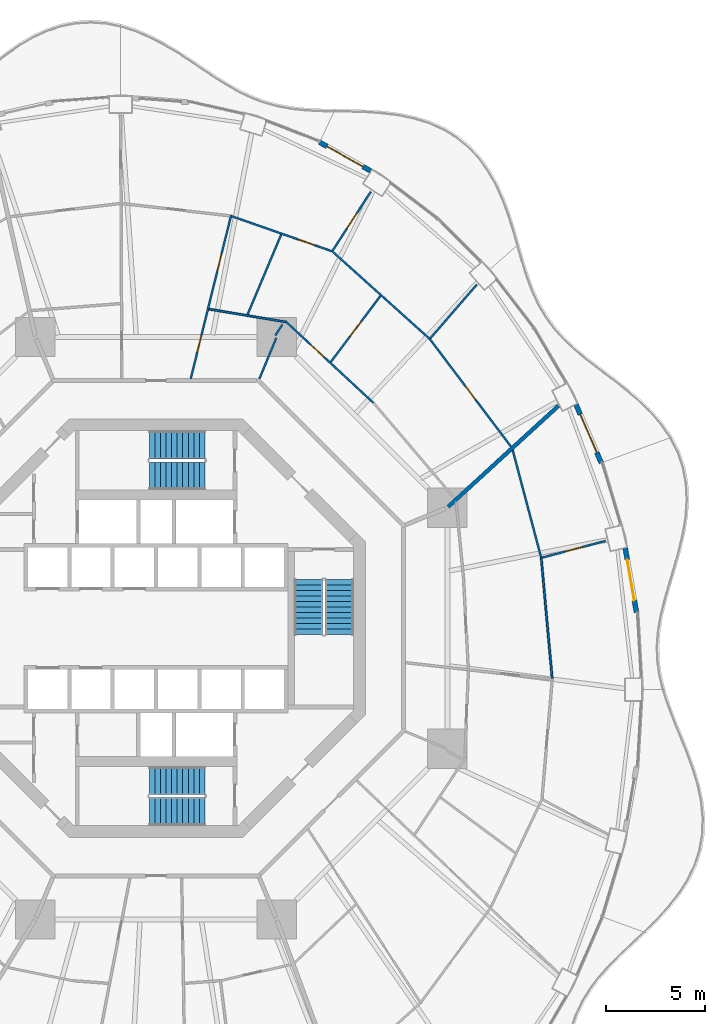
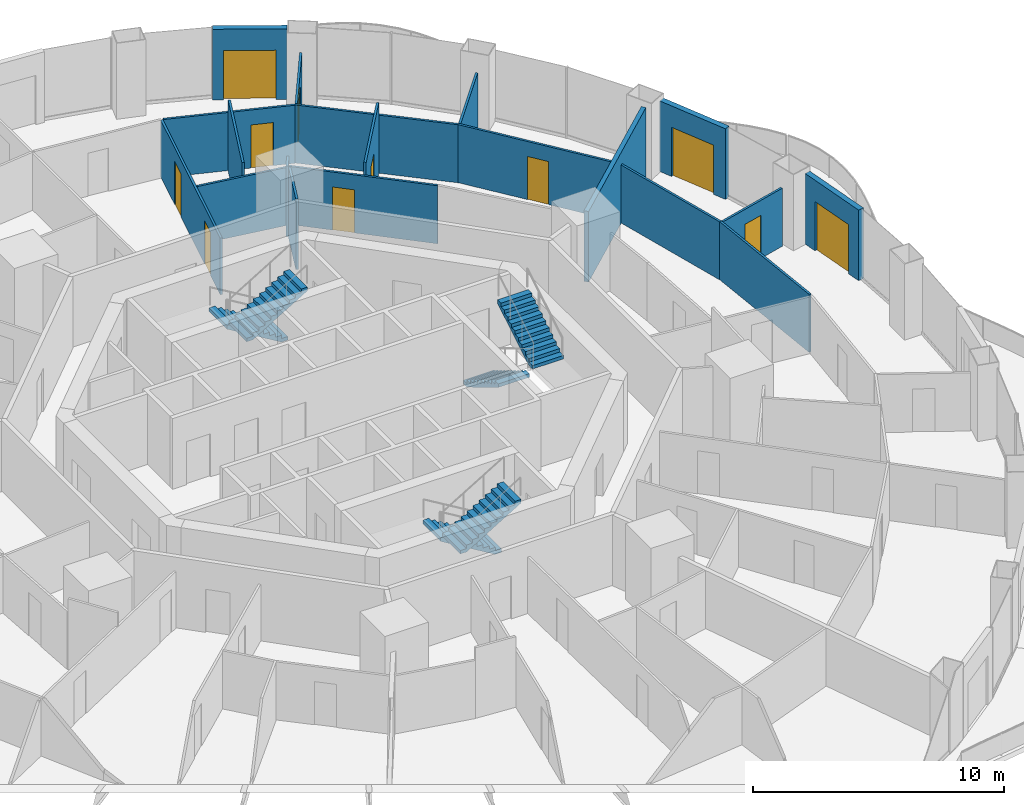
# One storey, part 18 of 21: 19 walls, 11 doors, 6 stair flights, 11 openings, 3 elements without a shape of their own.
"""IFC4 building model written with IfcOpenShell, lengths in metres."""

from ifc_helpers import new_model, si_unit, direction, frame, frame_2d, origin, place, context, subcontext, project, spatial, polyline, rectangle, outline, extrude, material, layer, layer_set, type_object, element, fill, aggregate, save


model = new_model("IFC4")

# Units and contexts
model_context = context("Model", 3, precision=1e-05, world=origin(), true_north=direction((0.0, 1.0)))
body_context = subcontext(model_context, "Body", "Model", "MODEL_VIEW")
ifc_project = project(units=[si_unit("LENGTHUNIT", "METRE"), si_unit("AREAUNIT", "SQUARE_METRE"), si_unit("VOLUMEUNIT", "CUBIC_METRE"), si_unit("PLANEANGLEUNIT", "RADIAN"), si_unit("MASSUNIT", "GRAM", prefix="KILO")], contexts=[model_context])

# Site, building, storey
site_placement = place(None, origin())
site = spatial("IfcSite", under=ifc_project, at=site_placement, CompositionType="ELEMENT")
building_placement = place(site_placement, origin())
building = spatial("IfcBuilding", under=site, at=building_placement, Name="Nagisa Residences", CompositionType="ELEMENT")
storey_placement = place(building_placement, frame((0.0, 0.0, 134.39990234375)))
storey = spatial("IfcBuildingStorey", under=building, at=storey_placement, Name="L33", CompositionType="ELEMENT", Elevation=134.39990234375)

# Walls
ifc_material_1 = material(Name="Gypsum board on steel studs", Category="steel")
ifc_layer_1 = layer(ifc_material_1, 0.199951171875)
ifc_layer_set_1 = layer_set([ifc_layer_1], Name="Apartment compartment wall EI60 200")
wall_type_1 = type_object("IfcWallType", Name="Apartment compartment wall EI60 200", PredefinedType="PARTITIONING", material=ifc_layer_set_1)
wall_1_placement = place(storey_placement, frame((14.81884765625, 6.15673828125, 0.0), z_axis=(0.0, 0.0, 1.0), x_axis=(0.737608883396, 0.675228209671, 0.0)))
element("IfcWall", 1, at=wall_1_placement, inside=storey, type_object=wall_type_1, Name="wall:L33:u01", PredefinedType="PARTITIONING", context=body_context, shape_type="SweptSolid", body=[
    extrude(rectangle(XDim=7.596435546875, YDim=0.199951171875, at=frame_2d((3.79833984375, 0.0))), origin(), (0.0, 0.0, 1.0), 3.440185546875),
])
ifc_material_2 = material(Name="Gypsum board on steel studs", Category="steel")
ifc_layer_2 = layer(ifc_material_2, 0.10009765625)
ifc_layer_set_2 = layer_set([ifc_layer_2], Name="Apartment partition 100")
wall_type_2 = type_object("IfcWallType", Name="Apartment partition 100", PredefinedType="PARTITIONING", material=ifc_layer_set_2)
wall_2_placement = place(storey_placement, frame((20.105712890625, -2.54248046875, 0.0), z_axis=(0.0, 0.0, 1.0), x_axis=(-0.090567755363, 0.995890296011, 0.0)))
element("IfcWall", 2, at=wall_2_placement, inside=storey, type_object=wall_type_2, Name="wall:L33:u21", PredefinedType="PARTITIONING", context=body_context, shape_type="SweptSolid", body=[
    extrude(rectangle(XDim=6.189208984375, YDim=0.10009765625, at=frame_2d((3.0947265625, 0.0))), origin(), (0.0, 0.0, 1.0), 2.828125),
])

# Wall, opening, door
wall_3_placement = place(storey_placement, frame((19.59814453125, 3.584228515625, 0.0), z_axis=(0.0, 0.0, 1.0), x_axis=(0.967108750962, 0.254363251695, 0.0)))
wall_3 = element("IfcWall", 3, at=wall_3_placement, inside=storey, type_object=wall_type_2, Name="wall:L33:u24", PredefinedType="PARTITIONING", context=body_context, shape_type="SweptSolid", body=[
    extrude(rectangle(XDim=3.32666015625, YDim=0.10009765625, at=frame_2d((1.663330078125, 0.0))), origin(), (0.0, 0.0, 1.0), 2.828125),
])
opening_1_placement = place(wall_3_placement, frame((1.21337890625, 0.0, 0.0)))
opening_1 = element("IfcOpeningElement", 4, at=opening_1_placement, cuts=wall_3, Name="Opening L33-U39", PredefinedType="OPENING", context=body_context, shape_type="SweptSolid", body=[
    extrude(rectangle(XDim=0.89990234375, YDim=2.10009765625, at=frame_2d((0.449951171875, 1.050048828125))), frame((0.0, 0.06005859375, 0.0), z_axis=(0.0, -1.0, 0.0), x_axis=(1.0, 0.0, 0.0)), (0.0, 0.0, 1.0), 0.1201171875),
])
ifc_material_3 = material(Name="Timber door set", Category="wood")
door_type_1 = type_object("IfcDoorType", Name="Apartment door 900x2100", OperationType="NOTDEFINED", PredefinedType="DOOR", material=ifc_material_3)
door_1_placement = place(opening_1_placement, origin())
door_1 = element("IfcDoor", 5, at=door_1_placement, inside=storey, type_object=door_type_1, Name="Door to master bedroom, Apartment 33D", OperationType="SINGLE_SWING_LEFT", OverallHeight=2.10009765625, OverallWidth=0.89990234375, PredefinedType="DOOR", context=body_context, shape_type="SweptSolid", body=[
    extrude(rectangle(XDim=0.89990234375, YDim=2.10009765625, at=frame_2d((0.449951171875, 1.050048828125))), frame((0.0, 0.02490234375, 0.0), z_axis=(0.0, -1.0, 0.0), x_axis=(1.0, 0.0, 0.0)), (0.0, 0.0, 1.0), 0.050048828125),
])
fill(opening_1, door_1)

# Wall
wall_4_placement = place(storey_placement, frame((19.536865234375, 3.619873046875, 0.0), z_axis=(0.0, 0.0, 1.0), x_axis=(-0.255909310473, 0.966700793841, 0.0)))
element("IfcWall", 6, at=wall_4_placement, inside=storey, type_object=wall_type_2, Name="wall:L33:u25", PredefinedType="PARTITIONING", context=body_context, shape_type="SweptSolid", body=[
    extrude(rectangle(XDim=5.608642578125, YDim=0.10009765625, at=frame_2d((2.80419921875, 0.0))), origin(), (0.0, 0.0, 1.0), 2.828125),
])

# Wall, opening, door
wall_5_placement = place(storey_placement, frame((18.015869140625, 9.21826171875, 0.0), z_axis=(0.0, 0.0, 1.0), x_axis=(-0.602411163107, 0.798185937338, 0.0)))
wall_5 = element("IfcWall", 7, at=wall_5_placement, inside=storey, type_object=wall_type_2, Name="wall:L33:u27", PredefinedType="PARTITIONING", context=body_context, shape_type="SweptSolid", body=[
    extrude(rectangle(XDim=6.893798828125, YDim=0.10009765625, at=frame_2d((3.44677734375, 0.0))), origin(), (0.0, 0.0, 1.0), 2.828125),
])
opening_2_placement = place(wall_5_placement, frame((2.971923828125, 0.0, 0.0)))
opening_2 = element("IfcOpeningElement", 8, at=opening_2_placement, cuts=wall_5, Name="Opening L33-U55", PredefinedType="OPENING", context=body_context, shape_type="SweptSolid", body=[
    extrude(rectangle(XDim=0.89990234375, YDim=2.10009765625, at=frame_2d((0.449951171875, 1.050048828125))), frame((0.0, 0.06005859375, 0.0), z_axis=(0.0, -1.0, 0.0), x_axis=(1.0, 0.0, 0.0)), (0.0, 0.0, 1.0), 0.1201171875),
])
door_2_placement = place(opening_2_placement, frame((0.89990234375, 0.0, 0.0), x_axis=(-1.0, 0.0, 0.0)))
door_2 = element("IfcDoor", 9, at=door_2_placement, inside=storey, type_object=door_type_1, Name="Door to study, Apartment 33E", OperationType="SINGLE_SWING_RIGHT", OverallHeight=2.10009765625, OverallWidth=0.89990234375, PredefinedType="DOOR", context=body_context, shape_type="SweptSolid", body=[
    extrude(rectangle(XDim=0.89990234375, YDim=2.10009765625, at=frame_2d((0.449951171875, 1.050048828125))), frame((0.0, 0.02490234375, 0.0), z_axis=(0.0, -1.0, 0.0), x_axis=(1.0, 0.0, 0.0)), (0.0, 0.0, 1.0), 0.050048828125),
])
fill(opening_2, door_2)

wall_6_placement = place(storey_placement, frame((11.029052734375, 11.44287109375, 0.0), z_axis=(0.0, 0.0, 1.0), x_axis=(-0.733121281629, 0.680097924143, 0.0)))
wall_6 = element("IfcWall", 10, at=wall_6_placement, inside=storey, type_object=wall_type_2, Name="wall:L33:u28", PredefinedType="PARTITIONING", context=body_context, shape_type="SweptSolid", body=[
    extrude(rectangle(XDim=6.0732421875, YDim=0.10009765625, at=frame_2d((3.03662109375, 0.0))), origin(), (0.0, 0.0, 1.0), 2.828125),
])
opening_3_placement = place(wall_6_placement, frame((3.408447265625, 0.0, 0.0)))
opening_3 = element("IfcOpeningElement", 11, at=opening_3_placement, cuts=wall_6, Name="Opening L33-U53", PredefinedType="OPENING", context=body_context, shape_type="SweptSolid", body=[
    extrude(rectangle(XDim=0.89990234375, YDim=2.10009765625, at=frame_2d((0.449951171875, 1.050048828125))), frame((0.0, 0.06005859375, 0.0), z_axis=(0.0, -1.0, 0.0), x_axis=(1.0, 0.0, 0.0)), (0.0, 0.0, 1.0), 0.1201171875),
])
door_3_placement = place(opening_3_placement, origin())
door_3 = element("IfcDoor", 12, at=door_3_placement, inside=storey, type_object=door_type_1, Name="Door to store, Apartment 33E", OperationType="SINGLE_SWING_LEFT", OverallHeight=2.10009765625, OverallWidth=0.89990234375, PredefinedType="DOOR", context=body_context, shape_type="SweptSolid", body=[
    extrude(rectangle(XDim=0.89990234375, YDim=2.10009765625, at=frame_2d((0.449951171875, 1.050048828125))), frame((0.0, 0.02490234375, 0.0), z_axis=(0.0, -1.0, 0.0), x_axis=(1.0, 0.0, 0.0)), (0.0, 0.0, 1.0), 0.050048828125),
])
fill(opening_3, door_3)

# Walls
wall_7_placement = place(storey_placement, frame((13.926025390625, 14.71875, 0.0), z_axis=(0.0, 0.0, 1.0), x_axis=(0.653831857253, 0.756639876323, 0.0)))
element("IfcWall", 13, at=wall_7_placement, inside=storey, type_object=wall_type_2, Name="wall:L33:u29", PredefinedType="PARTITIONING", context=body_context, shape_type="SweptSolid", body=[
    extrude(rectangle(XDim=3.59765625, YDim=0.10009765625, at=frame_2d((1.798828125, 0.0))), origin(), (0.0, 0.0, 1.0), 2.828125),
])
wall_8_placement = place(storey_placement, frame((13.856201171875, 14.71435546875, 0.0), z_axis=(0.0, 0.0, 1.0), x_axis=(-0.743793479211, 0.668409500444, 0.0)))
element("IfcWall", 14, at=wall_8_placement, inside=storey, type_object=wall_type_2, Name="wall:L33:u30", PredefinedType="PARTITIONING", context=body_context, shape_type="SweptSolid", body=[
    extrude(rectangle(XDim=6.65869140625, YDim=0.10009765625, at=frame_2d((3.329345703125, 0.0))), origin(), (0.0, 0.0, 1.0), 2.828125),
])

# Wall, opening, door
wall_9_placement = place(storey_placement, frame((8.86962890625, 13.513916015625, 0.0), z_axis=(0.0, 0.0, 1.0), x_axis=(0.600475102839, 0.79964345234, 0.0)))
wall_9 = element("IfcWall", 15, at=wall_9_placement, inside=storey, type_object=wall_type_2, Name="wall:L33:u31", PredefinedType="PARTITIONING", context=body_context, shape_type="SweptSolid", body=[
    extrude(rectangle(XDim=4.192138671875, YDim=0.10009765625, at=frame_2d((2.09619140625, 0.0))), origin(), (0.0, 0.0, 1.0), 3.440185546875),
])
opening_4_placement = place(wall_9_placement, frame((1.64599609375, 0.0, 0.0)))
opening_4 = element("IfcOpeningElement", 16, at=opening_4_placement, cuts=wall_9, Name="Opening L33-U54", PredefinedType="OPENING", context=body_context, shape_type="SweptSolid", body=[
    extrude(rectangle(XDim=0.89990234375, YDim=2.10009765625, at=frame_2d((0.449951171875, 1.050048828125))), frame((0.0, 0.06005859375, 0.0), z_axis=(0.0, -1.0, 0.0), x_axis=(1.0, 0.0, 0.0)), (0.0, 0.0, 1.0), 0.1201171875),
])
door_4_placement = place(opening_4_placement, frame((0.89990234375, 0.0, 0.0), x_axis=(-1.0, 0.0, 0.0)))
door_4 = element("IfcDoor", 17, at=door_4_placement, inside=storey, type_object=door_type_1, Name="Door to dining room, Apartment 33E", OperationType="SINGLE_SWING_LEFT", OverallHeight=2.10009765625, OverallWidth=0.89990234375, PredefinedType="DOOR", context=body_context, shape_type="SweptSolid", body=[
    extrude(rectangle(XDim=0.89990234375, YDim=2.10009765625, at=frame_2d((0.449951171875, 1.050048828125))), frame((0.0, 0.02490234375, 0.0), z_axis=(0.0, -1.0, 0.0), x_axis=(1.0, 0.0, 0.0)), (0.0, 0.0, 1.0), 0.050048828125),
])
fill(opening_4, door_4)

# Walls
wall_10_placement = place(storey_placement, frame((5.24267578125, 12.6572265625, 0.0), z_axis=(0.0, 0.0, 1.0), x_axis=(0.382719158442, 0.923864733477, 0.0)))
element("IfcWall", 18, at=wall_10_placement, inside=storey, type_object=wall_type_2, Name="wall:L33:u32", PredefinedType="PARTITIONING", context=body_context, shape_type="SweptSolid", body=[
    extrude(rectangle(XDim=2.25, YDim=0.10009765625, at=frame_2d((1.125, 0.0))), origin(), (0.0, 0.0, 1.0), 3.440185546875),
])
wall_11_placement = place(storey_placement, frame((6.56396484375, 15.54736328125, 0.0), z_axis=(0.0, 0.0, 1.0), x_axis=(-0.986269521186, 0.165143669511, 0.0)))
element("IfcWall", 19, at=wall_11_placement, inside=storey, type_object=wall_type_2, Name="wall:L33:u33", PredefinedType="PARTITIONING", context=body_context, shape_type="SweptSolid", body=[
    extrude(rectangle(XDim=3.933837890625, YDim=0.10009765625, at=frame_2d((1.966796875, 0.0))), origin(), (0.0, 0.0, 1.0), 2.828125),
])

# Wall, opening, door
wall_12_placement = place(storey_placement, frame((8.9677734375, 19.173583984375, 0.0), z_axis=(0.0, 0.0, 1.0), x_axis=(0.543713319379, 0.83927100887, 0.0)))
wall_12 = element("IfcWall", 20, at=wall_12_placement, inside=storey, type_object=wall_type_2, Name="wall:L33:u34", PredefinedType="PARTITIONING", context=body_context, shape_type="SweptSolid", body=[
    extrude(rectangle(XDim=3.548583984375, YDim=0.10009765625, at=frame_2d((1.7744140625, 0.0))), origin(), (0.0, 0.0, 1.0), 2.828125),
])
opening_5_placement = place(wall_12_placement, frame((1.32421875, 0.0, 0.0)))
opening_5 = element("IfcOpeningElement", 21, at=opening_5_placement, cuts=wall_12, Name="Opening L33-U52", PredefinedType="OPENING", context=body_context, shape_type="SweptSolid", body=[
    extrude(rectangle(XDim=0.89990234375, YDim=2.10009765625, at=frame_2d((0.449951171875, 1.050048828125))), frame((0.0, 0.06005859375, 0.0), z_axis=(0.0, -1.0, 0.0), x_axis=(1.0, 0.0, 0.0)), (0.0, 0.0, 1.0), 0.1201171875),
])
door_5_placement = place(opening_5_placement, frame((0.89990234375, 0.0, 0.0), x_axis=(-1.0, 0.0, 0.0)))
door_5 = element("IfcDoor", 22, at=door_5_placement, inside=storey, type_object=door_type_1, Name="Door to master bedroom, Apartment 33E", OperationType="SINGLE_SWING_LEFT", OverallHeight=2.10009765625, OverallWidth=0.89990234375, PredefinedType="DOOR", context=body_context, shape_type="SweptSolid", body=[
    extrude(rectangle(XDim=0.89990234375, YDim=2.10009765625, at=frame_2d((0.449951171875, 1.050048828125))), frame((0.0, 0.02490234375, 0.0), z_axis=(0.0, -1.0, 0.0), x_axis=(1.0, 0.0, 0.0)), (0.0, 0.0, 1.0), 0.050048828125),
])
fill(opening_5, door_5)

wall_13_placement = place(storey_placement, frame((8.8935546875, 19.14794921875, 0.0), z_axis=(0.0, 0.0, 1.0), x_axis=(-0.944182005381, 0.329424256414, 0.0)))
wall_13 = element("IfcWall", 23, at=wall_13_placement, inside=storey, type_object=wall_type_2, Name="wall:L33:u35", PredefinedType="PARTITIONING", context=body_context, shape_type="SweptSolid", body=[
    extrude(rectangle(XDim=5.343505859375, YDim=0.10009765625, at=frame_2d((2.671875, 0.0))), origin(), (0.0, 0.0, 1.0), 2.828125),
])
opening_6_placement = place(wall_13_placement, frame((0.8857421875, 0.0, 0.0)))
opening_6 = element("IfcOpeningElement", 24, at=opening_6_placement, cuts=wall_13, Name="Opening L33-U50", PredefinedType="OPENING", context=body_context, shape_type="SweptSolid", body=[
    extrude(rectangle(XDim=0.89990234375, YDim=2.10009765625, at=frame_2d((0.449951171875, 1.050048828125))), frame((0.0, 0.06005859375, 0.0), z_axis=(0.0, -1.0, 0.0), x_axis=(1.0, 0.0, 0.0)), (0.0, 0.0, 1.0), 0.1201171875),
])
door_6_placement = place(opening_6_placement, origin())
door_6 = element("IfcDoor", 25, at=door_6_placement, inside=storey, type_object=door_type_1, Name="Door to kitchen, Apartment 33E", OperationType="SINGLE_SWING_RIGHT", OverallHeight=2.10009765625, OverallWidth=0.89990234375, PredefinedType="DOOR", context=body_context, shape_type="SweptSolid", body=[
    extrude(rectangle(XDim=0.89990234375, YDim=2.10009765625, at=frame_2d((0.449951171875, 1.050048828125))), frame((0.0, 0.02490234375, 0.0), z_axis=(0.0, -1.0, 0.0), x_axis=(1.0, 0.0, 0.0)), (0.0, 0.0, 1.0), 0.050048828125),
])
fill(opening_6, door_6)

# Wall
wall_14_placement = place(storey_placement, frame((4.643310546875, 15.91845703125, 0.0), z_axis=(0.0, 0.0, 1.0), x_axis=(0.387539433367, 0.921853126906, 0.0)))
element("IfcWall", 26, at=wall_14_placement, inside=storey, type_object=wall_type_2, Name="wall:L33:u36", PredefinedType="PARTITIONING", context=body_context, shape_type="SweptSolid", body=[
    extrude(rectangle(XDim=4.407958984375, YDim=0.10009765625, at=frame_2d((2.2041015625, 0.0))), origin(), (0.0, 0.0, 1.0), 3.440185546875),
])

# Wall, openings, doors
wall_15_placement = place(storey_placement, frame((1.7587890625, 12.661865234375, 0.0), z_axis=(0.0, 0.0, 1.0), x_axis=(0.239964949221, 0.970781552743, 0.0)))
wall_15 = element("IfcWall", 27, at=wall_15_placement, inside=storey, type_object=wall_type_2, Name="wall:L33:u37", PredefinedType="PARTITIONING", context=body_context, shape_type="SweptSolid", body=[
    extrude(rectangle(XDim=8.5615234375, YDim=0.10009765625, at=frame_2d((4.28076171875, 0.0))), origin(), (0.0, 0.0, 1.0), 2.756103515625),
])
opening_7_placement = place(wall_15_placement, frame((1.375, 0.0, 0.0)))
opening_7 = element("IfcOpeningElement", 28, at=opening_7_placement, cuts=wall_15, Name="Opening L33-U45", PredefinedType="OPENING", context=body_context, shape_type="SweptSolid", body=[
    extrude(rectangle(XDim=0.89990234375, YDim=2.10009765625, at=frame_2d((0.449951171875, 1.050048828125))), frame((0.0, 0.06005859375, 0.0), z_axis=(0.0, -1.0, 0.0), x_axis=(1.0, 0.0, 0.0)), (0.0, 0.0, 1.0), 0.1201171875),
])
opening_8_placement = place(wall_15_placement, frame((5.630859375, 0.0, 0.0)))
opening_8 = element("IfcOpeningElement", 29, at=opening_8_placement, cuts=wall_15, Name="Opening L33-U47", PredefinedType="OPENING", context=body_context, shape_type="SweptSolid", body=[
    extrude(rectangle(XDim=0.89990234375, YDim=2.10009765625, at=frame_2d((0.449951171875, 1.050048828125))), frame((0.0, 0.06005859375, 0.0), z_axis=(0.0, -1.0, 0.0), x_axis=(1.0, 0.0, 0.0)), (0.0, 0.0, 1.0), 0.1201171875),
])
door_7_placement = place(opening_7_placement, frame((0.89990234375, 0.0, 0.0), x_axis=(-1.0, 0.0, 0.0)))
door_7 = element("IfcDoor", 30, at=door_7_placement, inside=storey, type_object=door_type_1, Name="Door to family bathroom, Apartment 33E", OperationType="SINGLE_SWING_RIGHT", OverallHeight=2.10009765625, OverallWidth=0.89990234375, PredefinedType="DOOR", context=body_context, shape_type="SweptSolid", body=[
    extrude(rectangle(XDim=0.89990234375, YDim=2.10009765625, at=frame_2d((0.449951171875, 1.050048828125))), frame((0.0, 0.02490234375, 0.0), z_axis=(0.0, -1.0, 0.0), x_axis=(1.0, 0.0, 0.0)), (0.0, 0.0, 1.0), 0.050048828125),
])
fill(opening_7, door_7)
door_8_placement = place(opening_8_placement, frame((0.89990234375, 0.0, 0.0), x_axis=(-1.0, 0.0, 0.0)))
door_8 = element("IfcDoor", 31, at=door_8_placement, inside=storey, type_object=door_type_1, Name="Door to family bathroom, Apartment 33E", OperationType="SINGLE_SWING_RIGHT", OverallHeight=2.10009765625, OverallWidth=0.89990234375, PredefinedType="DOOR", context=body_context, shape_type="SweptSolid", body=[
    extrude(rectangle(XDim=0.89990234375, YDim=2.10009765625, at=frame_2d((0.449951171875, 1.050048828125))), frame((0.0, 0.02490234375, 0.0), z_axis=(0.0, -1.0, 0.0), x_axis=(1.0, 0.0, 0.0)), (0.0, 0.0, 1.0), 0.050048828125),
])
fill(opening_8, door_8)

# Wall
wall_16_placement = place(storey_placement, frame((6.4169921875, 15.419921875, 0.0), z_axis=(0.0, 0.0, 1.0), x_axis=(-0.543777264953, -0.839229578911, 0.0)))
element("IfcWall", 32, at=wall_16_placement, inside=storey, type_object=wall_type_2, Name="wall:L33:u92", PredefinedType="PARTITIONING", context=body_context, shape_type="SweptSolid", body=[
    extrude(rectangle(XDim=0.67333984375, YDim=0.10009765625, at=frame_2d((0.336669921875, 0.0))), origin(), (0.0, 0.0, 1.0), 3.440185546875),
])

# Wall, opening, door
ifc_material_4 = material(Name="Precast concrete C40/50", Category="concrete")
ifc_layer_3 = layer(ifc_material_4, 0.25)
ifc_layer_set_3 = layer_set([ifc_layer_3], Name="BALCONY DOOR WALL 250")
wall_type_3 = type_object("IfcWallType", Name="BALCONY DOOR WALL 250", PredefinedType="SOLIDWALL", material=ifc_layer_set_3)
wall_17_placement = place(storey_placement, frame((23.81103515625, 4.084716796875, 0.0), z_axis=(0.0, 0.0, 1.0), x_axis=(0.172163521006, -0.985068384446, 0.0)))
wall_17 = element("IfcWall", 33, at=wall_17_placement, inside=storey, type_object=wall_type_3, Name="wall:L33:bay01", PredefinedType="SOLIDWALL", context=body_context, shape_type="SweptSolid", body=[
    extrude(rectangle(XDim=3.33251953125, YDim=0.25, at=frame_2d((1.666259765625, 0.0))), origin(), (0.0, 0.0, 1.0), 3.440185546875),
])
opening_9_placement = place(wall_17_placement, frame((0.6162109375, 0.0, 0.0)))
opening_9 = element("IfcOpeningElement", 34, at=opening_9_placement, cuts=wall_17, Name="Opening BD-L33-01", PredefinedType="OPENING", context=body_context, shape_type="SweptSolid", body=[
    extrude(rectangle(XDim=2.10009765625, YDim=2.39990234375, at=frame_2d((1.050048828125, 1.199951171875))), frame((0.0, 0.135009765625, 0.0), z_axis=(0.0, -1.0, 0.0), x_axis=(1.0, 0.0, 0.0)), (0.0, 0.0, 1.0), 0.27001953125),
])
ifc_material_5 = material(Name="Aluminium and clear glass", Category="aluminium")
door_type_2 = type_object("IfcDoorType", Name="BALCONY SLIDING DOOR 2100x2400", OperationType="SLIDING_TO_LEFT", PredefinedType="DOOR", material=ifc_material_5)
door_9_placement = place(opening_9_placement, origin())
door_9 = element("IfcDoor", 35, at=door_9_placement, inside=storey, type_object=door_type_2, Name="door:L33:bay01", OperationType="SLIDING_TO_LEFT", OverallHeight=2.39990234375, OverallWidth=2.10009765625, PredefinedType="DOOR", context=body_context, shape_type="SweptSolid", body=[
    extrude(rectangle(XDim=2.10009765625, YDim=2.39990234375, at=frame_2d((1.050048828125, 1.199951171875))), frame((0.0, 0.02490234375, 0.0), z_axis=(0.0, -1.0, 0.0), x_axis=(1.0, 0.0, 0.0)), (0.0, 0.0, 1.0), 0.050048828125),
])
fill(opening_9, door_9)

wall_18_placement = place(storey_placement, frame((21.303955078125, 11.379638671875, 0.0), z_axis=(0.0, 0.0, 1.0), x_axis=(0.397575919276, -0.917569282622, 0.0)))
wall_18 = element("IfcWall", 36, at=wall_18_placement, inside=storey, type_object=wall_type_3, Name="wall:L33:bay03", PredefinedType="SOLIDWALL", context=body_context, shape_type="SweptSolid", body=[
    extrude(rectangle(XDim=3.2607421875, YDim=0.25, at=frame_2d((1.63037109375, 0.0))), origin(), (0.0, 0.0, 1.0), 3.440185546875),
])
opening_10_placement = place(wall_18_placement, frame((0.580322265625, 0.0, 0.0)))
opening_10 = element("IfcOpeningElement", 37, at=opening_10_placement, cuts=wall_18, Name="Opening BD-L33-02", PredefinedType="OPENING", context=body_context, shape_type="SweptSolid", body=[
    extrude(rectangle(XDim=2.10009765625, YDim=2.39990234375, at=frame_2d((1.050048828125, 1.199951171875))), frame((0.0, 0.135009765625, 0.0), z_axis=(0.0, -1.0, 0.0), x_axis=(1.0, 0.0, 0.0)), (0.0, 0.0, 1.0), 0.27001953125),
])
door_10_placement = place(opening_10_placement, origin())
door_10 = element("IfcDoor", 38, at=door_10_placement, inside=storey, type_object=door_type_2, Name="door:L33:bay03", OperationType="SLIDING_TO_LEFT", OverallHeight=2.39990234375, OverallWidth=2.10009765625, PredefinedType="DOOR", context=body_context, shape_type="SweptSolid", body=[
    extrude(rectangle(XDim=2.10009765625, YDim=2.39990234375, at=frame_2d((1.050048828125, 1.199951171875))), frame((0.0, 0.02490234375, 0.0), z_axis=(0.0, -1.0, 0.0), x_axis=(1.0, 0.0, 0.0)), (0.0, 0.0, 1.0), 0.050048828125),
])
fill(opening_10, door_10)

wall_19_placement = place(storey_placement, frame((8.293212890625, 24.669921875, 0.0), z_axis=(0.0, 0.0, 1.0), x_axis=(0.87206688547, -0.489386705241, 0.0)))
wall_19 = element("IfcWall", 39, at=wall_19_placement, inside=storey, type_object=wall_type_3, Name="wall:L33:bay08", PredefinedType="SOLIDWALL", context=body_context, shape_type="SweptSolid", body=[
    extrude(rectangle(XDim=2.9697265625, YDim=0.25, at=frame_2d((1.48486328125, 0.0))), origin(), (0.0, 0.0, 1.0), 3.440185546875),
])
opening_11_placement = place(wall_19_placement, frame((0.434814453125, 0.0, 0.0)))
opening_11 = element("IfcOpeningElement", 40, at=opening_11_placement, cuts=wall_19, Name="Opening BD-L33-03", PredefinedType="OPENING", context=body_context, shape_type="SweptSolid", body=[
    extrude(rectangle(XDim=2.10009765625, YDim=2.39990234375, at=frame_2d((1.050048828125, 1.199951171875))), frame((0.0, 0.135009765625, 0.0), z_axis=(0.0, -1.0, 0.0), x_axis=(1.0, 0.0, 0.0)), (0.0, 0.0, 1.0), 0.27001953125),
])
door_11_placement = place(opening_11_placement, origin())
door_11 = element("IfcDoor", 41, at=door_11_placement, inside=storey, type_object=door_type_2, Name="door:L33:bay08", OperationType="SLIDING_TO_LEFT", OverallHeight=2.39990234375, OverallWidth=2.10009765625, PredefinedType="DOOR", context=body_context, shape_type="SweptSolid", body=[
    extrude(rectangle(XDim=2.10009765625, YDim=2.39990234375, at=frame_2d((1.050048828125, 1.199951171875))), frame((0.0, 0.02490234375, 0.0), z_axis=(0.0, -1.0, 0.0), x_axis=(1.0, 0.0, 0.0)), (0.0, 0.0, 1.0), 0.050048828125),
])
fill(opening_11, door_11)

# Stair, stair flights
ifc_material_6 = material(Name="Concrete C60", Category="concrete")
stair_type = type_object("IfcStairType", Name="Exit stair", PredefinedType="HALF_TURN_STAIR", material=ifc_material_6)
stair_1_placement = place(storey_placement, origin())
stair_1 = element("IfcStair", 42, at=stair_1_placement, inside=storey, type_object=stair_type, Name="L33 Exit stair E", PredefinedType="HALF_TURN_STAIR")
ifc_material_7 = material(Name="Concrete C60", Category="concrete")
stair_flight_type = type_object("IfcStairFlightType", Name="Exit stair flight", PredefinedType="STRAIGHT", material=ifc_material_7)
stair_flight_1_placement = place(storey_placement, frame((7.737060546875, 2.47509765625, 0.0), z_axis=(0.0, 0.0, 1.0), x_axis=(0.0, -1.0, 0.0)))
stair_flight_1 = element("IfcStairFlight", 43, at=stair_flight_1_placement, type_object=stair_flight_type, Name="ST-E flight 1", NumberOfRisers=11, NumberOfTreads=10, PredefinedType="STRAIGHT", RiserHeight=0.168181818, TreadLength=0.28, context=body_context, shape_type="SweptSolid", body=[
    extrude(outline(polyline([(0.0, 0.0), (0.0, 0.168212890625), (0.280029296875, 0.168212890625), (0.280029296875, 0.33642578125), (0.56005859375, 0.33642578125), (0.56005859375, 0.504638671875), (0.840087890625, 0.504638671875), (0.840087890625, 0.672607421875), (1.1201171875, 0.672607421875), (1.1201171875, 0.8408203125), (1.39990234375, 0.8408203125), (1.39990234375, 1.009033203125), (1.679931640625, 1.009033203125), (1.679931640625, 1.17724609375), (1.9599609375, 1.17724609375), (1.9599609375, 1.345458984375), (2.239990234375, 1.345458984375), (2.239990234375, 1.513671875), (2.52001953125, 1.513671875), (2.52001953125, 1.681884765625), (2.800048828125, 1.681884765625), (2.800048828125, 1.85009765625), (2.800048828125, 1.5068359375), (0.291015625, 0.0), (0.0, 0.0)])), frame((0.0, 0.71240234375, 0.0), z_axis=(0.0, -1.0, 0.0), x_axis=(1.0, 0.0, 0.0)), (0.0, 0.0, 1.0), 1.425048828125),
])
stair_flight_2_placement = place(storey_placement, frame((9.31201171875, -0.324951171875, 1.85009765625), z_axis=(0.0, 0.0, 1.0), x_axis=(0.0, 1.0, 0.0)))
stair_flight_2 = element("IfcStairFlight", 44, at=stair_flight_2_placement, type_object=stair_flight_type, Name="ST-E flight 2", NumberOfRisers=11, NumberOfTreads=10, PredefinedType="STRAIGHT", RiserHeight=0.168181818, TreadLength=0.28, context=body_context, shape_type="SweptSolid", body=[
    extrude(outline(polyline([(0.0, 0.0), (0.0, 0.168212890625), (0.280029296875, 0.168212890625), (0.280029296875, 0.33642578125), (0.56005859375, 0.33642578125), (0.56005859375, 0.504638671875), (0.840087890625, 0.504638671875), (0.840087890625, 0.672607421875), (1.1201171875, 0.672607421875), (1.1201171875, 0.8408203125), (1.39990234375, 0.8408203125), (1.39990234375, 1.009033203125), (1.679931640625, 1.009033203125), (1.679931640625, 1.17724609375), (1.9599609375, 1.17724609375), (1.9599609375, 1.345458984375), (2.239990234375, 1.345458984375), (2.239990234375, 1.513671875), (2.52001953125, 1.513671875), (2.52001953125, 1.681884765625), (2.800048828125, 1.681884765625), (2.800048828125, 1.85009765625), (2.800048828125, 1.5068359375), (0.291015625, 0.0), (0.0, 0.0)])), frame((0.0, 0.71240234375, 0.0), z_axis=(0.0, -1.0, 0.0), x_axis=(1.0, 0.0, 0.0)), (0.0, 0.0, 1.0), 1.425048828125),
])
aggregate(stair_1, [stair_flight_1, stair_flight_2])

stair_2_placement = place(storey_placement, origin())
stair_2 = element("IfcStair", 45, at=stair_2_placement, inside=storey, type_object=stair_type, Name="L33 Exit stair N", PredefinedType="HALF_TURN_STAIR")
stair_flight_3_placement = place(storey_placement, frame((2.47509765625, 9.31201171875, 0.0), z_axis=(0.0, 0.0, 1.0), x_axis=(-1.0, 0.0, 0.0)))
stair_flight_3 = element("IfcStairFlight", 46, at=stair_flight_3_placement, type_object=stair_flight_type, Name="ST-N flight 1", NumberOfRisers=11, NumberOfTreads=10, PredefinedType="STRAIGHT", RiserHeight=0.168181818, TreadLength=0.28, context=body_context, shape_type="SweptSolid", body=[
    extrude(outline(polyline([(0.0, 0.0), (0.0, 0.168212890625), (0.280029296875, 0.168212890625), (0.280029296875, 0.33642578125), (0.56005859375, 0.33642578125), (0.56005859375, 0.504638671875), (0.840087890625, 0.504638671875), (0.840087890625, 0.672607421875), (1.1201171875, 0.672607421875), (1.1201171875, 0.8408203125), (1.39990234375, 0.8408203125), (1.39990234375, 1.009033203125), (1.679931640625, 1.009033203125), (1.679931640625, 1.17724609375), (1.9599609375, 1.17724609375), (1.9599609375, 1.345458984375), (2.239990234375, 1.345458984375), (2.239990234375, 1.513671875), (2.52001953125, 1.513671875), (2.52001953125, 1.681884765625), (2.800048828125, 1.681884765625), (2.800048828125, 1.85009765625), (2.800048828125, 1.5068359375), (0.291015625, 0.0), (0.0, 0.0)])), frame((0.0, 0.71240234375, 0.0), z_axis=(0.0, -1.0, 0.0), x_axis=(1.0, 0.0, 0.0)), (0.0, 0.0, 1.0), 1.425048828125),
])
stair_flight_4_placement = place(storey_placement, frame((-0.324951171875, 7.737060546875, 1.85009765625), z_axis=(0.0, 0.0, 1.0), x_axis=(1.0, 0.0, 0.0)))
stair_flight_4 = element("IfcStairFlight", 47, at=stair_flight_4_placement, type_object=stair_flight_type, Name="ST-N flight 2", NumberOfRisers=11, NumberOfTreads=10, PredefinedType="STRAIGHT", RiserHeight=0.168181818, TreadLength=0.28, context=body_context, shape_type="SweptSolid", body=[
    extrude(outline(polyline([(0.0, 0.0), (0.0, 0.168212890625), (0.280029296875, 0.168212890625), (0.280029296875, 0.33642578125), (0.56005859375, 0.33642578125), (0.56005859375, 0.504638671875), (0.840087890625, 0.504638671875), (0.840087890625, 0.672607421875), (1.1201171875, 0.672607421875), (1.1201171875, 0.8408203125), (1.39990234375, 0.8408203125), (1.39990234375, 1.009033203125), (1.679931640625, 1.009033203125), (1.679931640625, 1.17724609375), (1.9599609375, 1.17724609375), (1.9599609375, 1.345458984375), (2.239990234375, 1.345458984375), (2.239990234375, 1.513671875), (2.52001953125, 1.513671875), (2.52001953125, 1.681884765625), (2.800048828125, 1.681884765625), (2.800048828125, 1.85009765625), (2.800048828125, 1.5068359375), (0.291015625, 0.0), (0.0, 0.0)])), frame((0.0, 0.71240234375, 0.0), z_axis=(0.0, -1.0, 0.0), x_axis=(1.0, 0.0, 0.0)), (0.0, 0.0, 1.0), 1.425048828125),
])
aggregate(stair_2, [stair_flight_3, stair_flight_4])

stair_3_placement = place(storey_placement, origin())
stair_3 = element("IfcStair", 48, at=stair_3_placement, inside=storey, type_object=stair_type, Name="L33 Exit stair S", PredefinedType="HALF_TURN_STAIR")
stair_flight_5_placement = place(storey_placement, frame((2.47509765625, -7.737060546875, 0.0), z_axis=(0.0, 0.0, 1.0), x_axis=(-1.0, 0.0, 0.0)))
stair_flight_5 = element("IfcStairFlight", 49, at=stair_flight_5_placement, type_object=stair_flight_type, Name="ST-S flight 1", NumberOfRisers=11, NumberOfTreads=10, PredefinedType="STRAIGHT", RiserHeight=0.168181818, TreadLength=0.28, context=body_context, shape_type="SweptSolid", body=[
    extrude(outline(polyline([(0.0, 0.0), (0.0, 0.168212890625), (0.280029296875, 0.168212890625), (0.280029296875, 0.33642578125), (0.56005859375, 0.33642578125), (0.56005859375, 0.504638671875), (0.840087890625, 0.504638671875), (0.840087890625, 0.672607421875), (1.1201171875, 0.672607421875), (1.1201171875, 0.8408203125), (1.39990234375, 0.8408203125), (1.39990234375, 1.009033203125), (1.679931640625, 1.009033203125), (1.679931640625, 1.17724609375), (1.9599609375, 1.17724609375), (1.9599609375, 1.345458984375), (2.239990234375, 1.345458984375), (2.239990234375, 1.513671875), (2.52001953125, 1.513671875), (2.52001953125, 1.681884765625), (2.800048828125, 1.681884765625), (2.800048828125, 1.85009765625), (2.800048828125, 1.5068359375), (0.291015625, 0.0), (0.0, 0.0)])), frame((0.0, 0.71240234375, 0.0), z_axis=(0.0, -1.0, 0.0), x_axis=(1.0, 0.0, 0.0)), (0.0, 0.0, 1.0), 1.425048828125),
])
stair_flight_6_placement = place(storey_placement, frame((-0.324951171875, -9.31201171875, 1.85009765625), z_axis=(0.0, 0.0, 1.0), x_axis=(1.0, 0.0, 0.0)))
stair_flight_6 = element("IfcStairFlight", 50, at=stair_flight_6_placement, type_object=stair_flight_type, Name="ST-S flight 2", NumberOfRisers=11, NumberOfTreads=10, PredefinedType="STRAIGHT", RiserHeight=0.168181818, TreadLength=0.28, context=body_context, shape_type="SweptSolid", body=[
    extrude(outline(polyline([(0.0, 0.0), (0.0, 0.168212890625), (0.280029296875, 0.168212890625), (0.280029296875, 0.33642578125), (0.56005859375, 0.33642578125), (0.56005859375, 0.504638671875), (0.840087890625, 0.504638671875), (0.840087890625, 0.672607421875), (1.1201171875, 0.672607421875), (1.1201171875, 0.8408203125), (1.39990234375, 0.8408203125), (1.39990234375, 1.009033203125), (1.679931640625, 1.009033203125), (1.679931640625, 1.17724609375), (1.9599609375, 1.17724609375), (1.9599609375, 1.345458984375), (2.239990234375, 1.345458984375), (2.239990234375, 1.513671875), (2.52001953125, 1.513671875), (2.52001953125, 1.681884765625), (2.800048828125, 1.681884765625), (2.800048828125, 1.85009765625), (2.800048828125, 1.5068359375), (0.291015625, 0.0), (0.0, 0.0)])), frame((0.0, 0.71240234375, 0.0), z_axis=(0.0, -1.0, 0.0), x_axis=(1.0, 0.0, 0.0)), (0.0, 0.0, 1.0), 1.425048828125),
])
aggregate(stair_3, [stair_flight_5, stair_flight_6])

save(model, "model.ifc")
